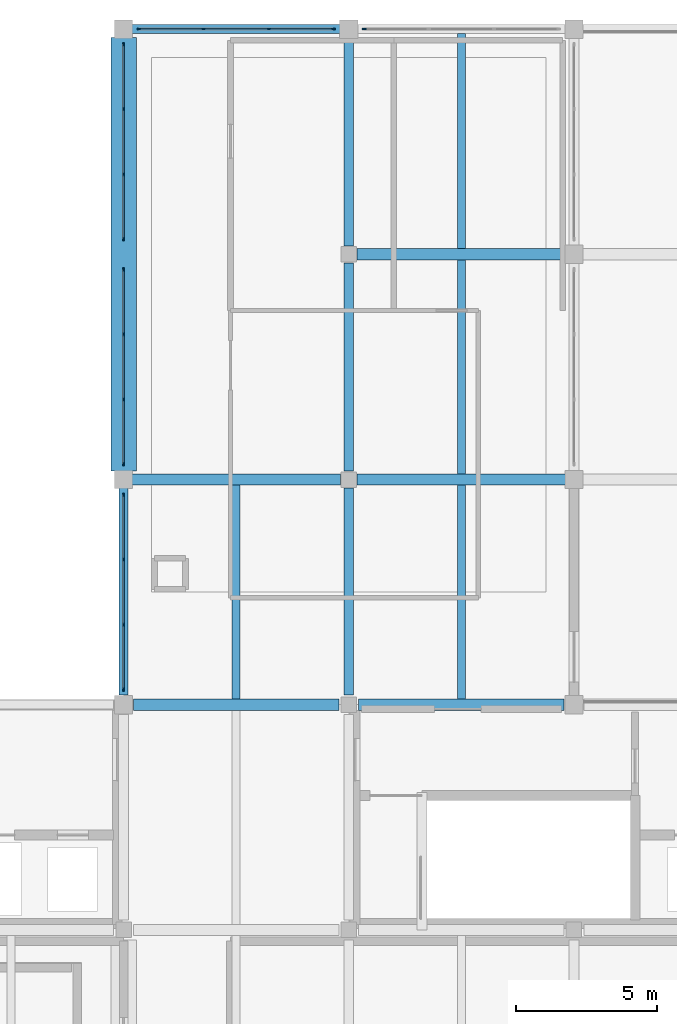
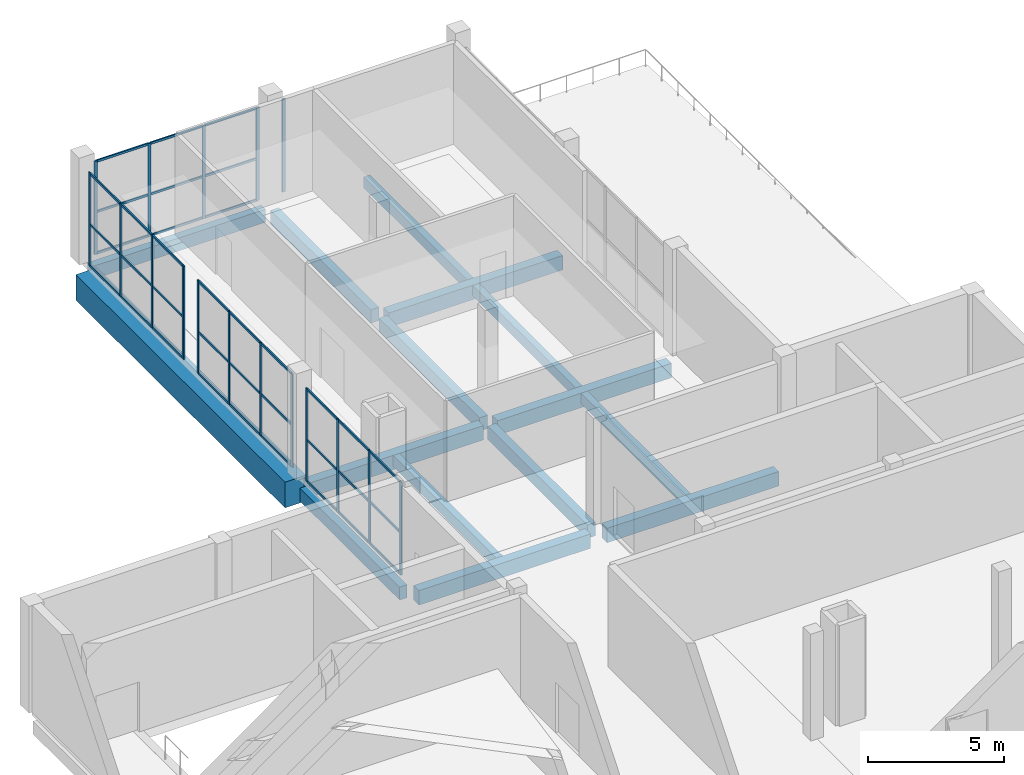
# One storey, part 2 of 8: 53 members, 15 beams, 5 elements without a shape of their own.
"""IFC4 building model written with IfcOpenShell, lengths in metres."""

import ifcopenshell
import ifcopenshell.guid

model = None  # the IFC model being written
_history = None  # IfcOwnerHistory: only IFC2X3 demands one
_inside = {}  # id of a spatial element -> (the spatial element, [elements in it])
_under = {}  # id of a project, library or spatial element -> (it, [spatial elements below it])
_declared = {}  # id of a project -> (the project, [libraries it declares])
_typed = {}  # id of a type object -> (the type object, [elements of that type])
_made_of = {}  # id of a material, layer set ... -> (it, [elements and type objects made of it])


def new_model(schema):
    """Start an empty IFC model of exactly this schema.

    Asked for "IFC4X3", IfcOpenShell would pick the latest addendum, in which some entities
    have other attributes; the version numbers below select the first issue.
    IFC2X3 requires an IfcOwnerHistory on every rooted entity: one is made here for all.
    """
    global model, _history
    if schema == "IFC4X3":
        model = ifcopenshell.file(schema_version=(4, 3, 0, 0))
    else:
        model = ifcopenshell.file(schema=schema)
    _inside.clear()
    _under.clear()
    _declared.clear()
    _typed.clear()
    _made_of.clear()
    _history = None
    if model.schema == "IFC2X3":
        org = make("IfcOrganization", Name="unknown")
        user = make(
            "IfcPersonAndOrganization",
            ThePerson=make("IfcPerson", FamilyName="unknown"),
            TheOrganization=org,
        )
        app = make(
            "IfcApplication",
            ApplicationDeveloper=org,
            Version="unknown",
            ApplicationFullName="unknown",
            ApplicationIdentifier="unknown",
        )
        _history = make(
            "IfcOwnerHistory",
            OwningUser=user,
            OwningApplication=app,
            ChangeAction="ADDED",
            CreationDate=0,
        )
    return model


def make(cls, **values):
    """One entity of the class cls with the attributes given. An attribute that is None is left unset."""
    return model.create_entity(
        cls, **{name: value for name, value in values.items() if value is not None}
    )


def rooted(cls, **values):
    """An entity with a GlobalId (a new one), such as an element, a storey or a relation."""
    return make(cls, GlobalId=ifcopenshell.guid.new(), OwnerHistory=_history, **values)


def si_unit(unit_type, name, prefix=None):
    """IfcSIUnit, for example si_unit("LENGTHUNIT", "METRE", prefix="MILLI")."""
    return make("IfcSIUnit", UnitType=unit_type, Prefix=prefix, Name=name)


def assignment(units):
    """IfcUnitAssignment: the units of a project."""
    return None if units is None else make("IfcUnitAssignment", Units=units)


def point(xyz):
    """IfcCartesianPoint."""
    return None if xyz is None else make("IfcCartesianPoint", Coordinates=xyz)


def direction(xyz):
    """IfcDirection."""
    return None if xyz is None else make("IfcDirection", DirectionRatios=xyz)


def frame(location, z_axis=None, x_axis=None):
    """IfcAxis2Placement3D, a coordinate frame: its origin and axes. An axis left out is left unset."""
    return make(
        "IfcAxis2Placement3D",
        Location=point(location),
        Axis=direction(z_axis),
        RefDirection=direction(x_axis),
    )


def frame_2d(location, x_axis=None):
    """IfcAxis2Placement2D, a coordinate frame in the plane: its origin and x axis."""
    return make(
        "IfcAxis2Placement2D", Location=point(location), RefDirection=direction(x_axis)
    )


def origin():
    """The frame at (0, 0, 0) with its axes left unset."""
    return frame((0.0, 0.0, 0.0))


def origin_2d():
    """The frame at (0, 0) in the plane with its x axis left unset."""
    return frame_2d((0.0, 0.0))


def place(relative_to, where):
    """IfcLocalPlacement: puts the frame where relative to a parent placement (None: the world)."""
    return make(
        "IfcLocalPlacement", PlacementRelTo=relative_to, RelativePlacement=where
    )


def context(
    kind, dimensions, precision=None, world=None, true_north=None, identifier=None
):
    """IfcGeometricRepresentationContext, for example the 3D "Model" context."""
    return make(
        "IfcGeometricRepresentationContext",
        ContextIdentifier=identifier,
        ContextType=kind,
        CoordinateSpaceDimension=dimensions,
        Precision=precision,
        WorldCoordinateSystem=world,
        TrueNorth=true_north,
    )


def subcontext(parent, identifier, kind, view, scale=None):
    """IfcGeometricRepresentationSubContext, for example "Body" below "Model"."""
    return make(
        "IfcGeometricRepresentationSubContext",
        ContextIdentifier=identifier,
        ContextType=kind,
        ParentContext=parent,
        TargetScale=scale,
        TargetView=view,
    )


def project(units=None, contexts=None):
    """IfcProject with its units and contexts."""
    return rooted(
        "IfcProject",
        Name="project",
        RepresentationContexts=contexts,
        UnitsInContext=assignment(units),
    )


def spatial(cls, under=None, at=None, **own):
    """A site, building, storey or space (cls), placed at a placement, below another one or the project."""
    s = rooted(cls, ObjectPlacement=at, **own)
    if under is not None:
        _under.setdefault(under.id(), (under, []))[1].append(s)
    return s


def profile(cls, at=None, kind="AREA", **sizes):
    """A parametric profile (cls). Its sizes go by their IFC names, for example OverallWidth=200.0."""
    return make(cls, ProfileType=kind, Position=at, **sizes)


def rectangle(**sizes):
    """IfcRectangleProfileDef."""
    return profile("IfcRectangleProfileDef", **sizes)


def extrude(swept, where, along, depth):
    """IfcExtrudedAreaSolid: the profile swept, set in the frame where, extruded along a direction by depth."""
    return make(
        "IfcExtrudedAreaSolid",
        SweptArea=swept,
        Position=where,
        ExtrudedDirection=direction(along),
        Depth=depth,
    )


def shape(context_of_items, identifier, shape_type, items):
    """IfcShapeRepresentation: the items that make up one representation, for example the "Body"."""
    return make(
        "IfcShapeRepresentation",
        ContextOfItems=context_of_items,
        RepresentationIdentifier=identifier,
        RepresentationType=shape_type,
        Items=items,
    )


def material(Name=None, Category=None):
    """IfcMaterial."""
    return make("IfcMaterial", Name=Name, Category=Category)


def layer(
    of_material, thickness, ventilated=None, Name=None, Category=None, Priority=None
):
    """IfcMaterialLayer: one layer of a wall or slab, of a material (None: an air gap)."""
    return make(
        "IfcMaterialLayer",
        Material=of_material,
        LayerThickness=thickness,
        IsVentilated=ventilated,
        Name=Name,
        Category=Category,
        Priority=Priority,
    )


def layer_set(layers, Name=None):
    """IfcMaterialLayerSet."""
    return make("IfcMaterialLayerSet", MaterialLayers=layers, LayerSetName=Name)


def material_profile(
    of_material, cross_section, Name=None, Category=None, Priority=None
):
    """IfcMaterialProfile: a cross section and its material."""
    return make(
        "IfcMaterialProfile",
        Name=Name,
        Material=of_material,
        Profile=cross_section,
        Priority=Priority,
        Category=Category,
    )


def profile_set(profiles, Name=None, composite=None):
    """IfcMaterialProfileSet."""
    return make(
        "IfcMaterialProfileSet",
        Name=Name,
        MaterialProfiles=profiles,
        CompositeProfile=composite,
    )


def made_of(thing, what):
    """Note that an element or type object is made of a material, layer set ...; save() writes the relation."""
    if what is not None:
        _made_of.setdefault(what.id(), (what, []))[1].append(thing)
    return thing


def type_object(cls, material=None, **own):
    """A type object (cls), such as IfcWallType, which elements share."""
    return made_of(rooted(cls, **own), material)


def element(
    cls,
    number,
    at=None,
    inside=None,
    cuts=None,
    type_object=None,
    material=None,
    context=None,
    identifier="Body",
    shape_type=None,
    held_by="IfcProductDefinitionShape",
    body=None,
    shapes=None,
    **own,
):
    """One element of the class cls, such as IfcWall. Its Tag is "e" and its number.

    at: its placement. inside: the storey or other place that contains it. cuts: it is an
    opening in that element (IfcRelVoidsElement). A single representation is given by context,
    identifier, shape_type and body (its items); several are given by shapes. held_by: the class
    of the entity that holds the representations. save() writes the other relations.
    """
    e = rooted(cls, Tag="e%d" % number, ObjectPlacement=at, **own)
    if body is not None:
        shapes = [shape(context, identifier, shape_type, body)]
    if shapes is not None:
        e.Representation = make(held_by, Representations=shapes)
    if inside is not None:
        _inside.setdefault(inside.id(), (inside, []))[1].append(e)
    if cuts is not None:
        rooted(
            "IfcRelVoidsElement", RelatingBuildingElement=cuts, RelatedOpeningElement=e
        )
    if type_object is not None:
        _typed.setdefault(type_object.id(), (type_object, []))[1].append(e)
    return made_of(e, material)


def aggregate(whole, parts):
    """IfcRelAggregates: a whole, such as a stair, and the parts it consists of."""
    return rooted("IfcRelAggregates", RelatingObject=whole, RelatedObjects=parts)


def save(model, path):
    """Write the relations noted so far, then the file.

    IfcRelAggregates (storeys below a building ...), IfcRelContainedInSpatialStructure (elements
    in a storey), IfcRelDefinesByType, IfcRelAssociatesMaterial and IfcRelDeclares: one each for
    every whole, place, type object, material and project.
    """
    for whole, parts in _under.values():
        aggregate(whole, parts)
    for where, things in _inside.values():
        rooted(
            "IfcRelContainedInSpatialStructure",
            RelatedElements=things,
            RelatingStructure=where,
        )
    for kind, things in _typed.values():
        rooted("IfcRelDefinesByType", RelatedObjects=things, RelatingType=kind)
    for what, things in _made_of.values():
        rooted("IfcRelAssociatesMaterial", RelatedObjects=things, RelatingMaterial=what)
    for by, libraries in _declared.values():
        rooted("IfcRelDeclares", RelatingContext=by, RelatedDefinitions=libraries)
    model.write(path)


model = new_model("IFC4")

# Units and contexts
model_context = context("Model", 3, precision=1e-05, world=origin(), true_north=direction((0.0, 1.0)))
body_context = subcontext(model_context, "Body", "Model", "MODEL_VIEW")
ifc_project = project(units=[si_unit("LENGTHUNIT", "METRE"), si_unit("AREAUNIT", "SQUARE_METRE"), si_unit("VOLUMEUNIT", "CUBIC_METRE"), si_unit("PLANEANGLEUNIT", "RADIAN"), si_unit("MASSUNIT", "GRAM", prefix="KILO")], contexts=[model_context])

# Site, building, storey
site_placement = place(None, origin())
site = spatial("IfcSite", under=ifc_project, at=site_placement, CompositionType="ELEMENT")
building_placement = place(site_placement, origin())
building = spatial("IfcBuilding", under=site, at=building_placement, Name="Qorikala Patio Media Centre", CompositionType="ELEMENT")
storey_placement = place(building_placement, frame((0.0, 0.0, 27.89990234375)))
storey = spatial("IfcBuildingStorey", under=building, at=storey_placement, Name="L06", CompositionType="ELEMENT", Elevation=27.89990234375)

# Beams
ifc_material_1 = material(Name="Concrete C35/45", Category="concrete")
ifc_material_profile_1 = material_profile(ifc_material_1, rectangle(XDim=0.35009765625, YDim=0.60009765625, at=origin_2d()), Name="RC 350x600")
ifc_profile_set_1 = profile_set([ifc_material_profile_1], Name="Concrete C35/45")
beam_type_1 = type_object("IfcBeamType", Name="BM-G350X600", PredefinedType="BEAM", material=ifc_profile_set_1)
beam_1_placement = place(storey_placement, frame((27.0, 35.35009765625, -0.699951171875), z_axis=(0.0, 1.0, 0.0), x_axis=(-1.0, 0.0, 0.0)))
element("IfcBeam", 1, at=beam_1_placement, inside=storey, type_object=beam_type_1, Name="L06 Grid X=27 Beam 1725", PredefinedType="BEAM", context=body_context, shape_type="SweptSolid", body=[
    extrude(rectangle(XDim=0.35009765625, YDim=0.60009765625, at=origin_2d()), origin(), (0.0, 0.0, 1.0), 7.349853515625),
])
for number, where, z_axis, x_axis, name in (
    (2, (27.0, 43.300048828125, -0.699951171875), (0.0, 1.0, 0.0), (-1.0, 0.0, 0.0), "L06 Grid X=27 Beam 1726"),
    (3, (27.0, 51.300048828125, -0.699951171875), (0.0, 1.0, 0.0), (-1.0, 0.0, 0.0), "L06 Grid X=27 Beam 1727"),
):
    element("IfcBeam", number, at=place(storey_placement, frame(where, z_axis=z_axis, x_axis=x_axis)), inside=storey, type_object=beam_type_1, Name=name, PredefinedType="BEAM", context=body_context, shape_type="SweptSolid", body=[
        extrude(rectangle(XDim=0.35009765625, YDim=0.60009765625, at=origin_2d()), origin(), (0.0, 0.0, 1.0), 7.39990234375),
    ])
ifc_material_profile_2 = material_profile(ifc_material_1, rectangle(XDim=0.39990234375, YDim=0.64990234375, at=origin_2d()), Name="RC 400x650")
ifc_profile_set_2 = profile_set([ifc_material_profile_2], Name="Concrete C35/45")
beam_type_2 = type_object("IfcBeamType", Name="BM-G400X650", PredefinedType="BEAM", material=ifc_profile_set_2)
for number, where, z_axis, x_axis, name in (
    (4, (19.35009765625, 35.0, -0.724853515625), (1.0, 0.0, 0.0), (0.0, 1.0, 0.0), "L06 Grid 35 Beam 1698"),
    (5, (27.35009765625, 35.0, -0.724853515625), (1.0, 0.0, 0.0), (0.0, 1.0, 0.0), "L06 Grid 35 Beam 1699"),
):
    element("IfcBeam", number, at=place(storey_placement, frame(where, z_axis=z_axis, x_axis=x_axis)), inside=storey, type_object=beam_type_2, Name=name, PredefinedType="BEAM", context=body_context, shape_type="SweptSolid", body=[
        extrude(rectangle(XDim=0.39990234375, YDim=0.64990234375, at=origin_2d()), origin(), (0.0, 0.0, 1.0), 7.2998046875),
    ])
for number, where, z_axis, x_axis, name in (
    (6, (19.300048828125, 43.0, -0.724853515625), (1.0, 0.0, 0.0), (0.0, 1.0, 0.0), "L06 Grid 43 Beam 1701"),
    (7, (27.300048828125, 43.0, -0.724853515625), (1.0, 0.0, 0.0), (0.0, 1.0, 0.0), "L06 Grid 43 Beam 1702"),
    (8, (27.300048828125, 51.0, -0.724853515625), (1.0, 0.0, 0.0), (0.0, 1.0, 0.0), "L06 Grid 51 Beam 1704"),
):
    element("IfcBeam", number, at=place(storey_placement, frame(where, z_axis=z_axis, x_axis=x_axis)), inside=storey, type_object=beam_type_2, Name=name, PredefinedType="BEAM", context=body_context, shape_type="SweptSolid", body=[
        extrude(rectangle(XDim=0.39990234375, YDim=0.64990234375, at=origin_2d()), origin(), (0.0, 0.0, 1.0), 7.39990234375),
    ])
ifc_material_profile_3 = material_profile(ifc_material_1, rectangle(XDim=0.89990234375, YDim=1.14990234375, at=origin_2d()), Name="RC 900x1150")
ifc_profile_set_3 = profile_set([ifc_material_profile_3], Name="Concrete C35/45")
beam_type_3 = type_object("IfcBeamType", Name="BM-TR900X1150-EXT", PredefinedType="BEAM", material=ifc_profile_set_3)
beam_2_placement = place(storey_placement, frame((19.0, 43.300048828125, -0.974853515625), z_axis=(0.0, 1.0, 0.0), x_axis=(-1.0, 0.0, 0.0)))
element("IfcBeam", 9, at=beam_2_placement, inside=storey, type_object=beam_type_3, Name="L06 Grid X=19 Transfer Girder 1720", PredefinedType="BEAM", context=body_context, shape_type="SweptSolid", body=[
    extrude(rectangle(XDim=0.89990234375, YDim=1.14990234375, at=origin_2d()), origin(), (0.0, 0.0, 1.0), 15.39990234375),
])

# Curtain wall, members
ifc_material_2 = material(Name="Bronze Anodised Aluminium and Low-E Glass", Category="aluminium")
ifc_layer = layer(ifc_material_2, 0.159912109375)
ifc_layer_set = layer_set([ifc_layer], Name="Bronze Anodised Aluminium and Low-E Glass")
curtain_wall_type = type_object("IfcCurtainWallType", Name="CW-PAV-696X419", PredefinedType="USERDEFINED", material=ifc_layer_set)
curtain_wall_1_placement = place(storey_placement, origin())
curtain_wall_1 = element("IfcCurtainWall", 10, at=curtain_wall_1_placement, inside=storey, type_object=curtain_wall_type, Name="L06 Courtyard Curtain Wall 100", ObjectType="COURTYARD CURTAIN WALL", PredefinedType="USERDEFINED")
ifc_material_3 = material(Name="Bronze Anodised Aluminium", Category="aluminium")
ifc_material_profile_4 = material_profile(ifc_material_3, rectangle(XDim=0.06005859375, YDim=0.1298828125, at=origin_2d()), Name="ALU MULLION 60x130")
ifc_profile_set_4 = profile_set([ifc_material_profile_4], Name="Bronze Anodised Aluminium")
member_type_1 = type_object("IfcMemberType", Name="CWM-60X130", PredefinedType="MULLION", material=ifc_profile_set_4)
member_1_placement = place(storey_placement, frame((19.0, 35.550048828125, 0.0), z_axis=(0.0, 0.0, 1.0), x_axis=(-1.0, 0.0, 0.0)))
member_1 = element("IfcMember", 11, at=member_1_placement, type_object=member_type_1, Name="CWP696419 mullion 1", PredefinedType="MULLION", context=body_context, shape_type="SweptSolid", body=[
    extrude(rectangle(XDim=0.06005859375, YDim=0.1298828125, at=origin_2d()), origin(), (0.0, 0.0, 1.0), 4.190185546875),
])
member_2_placement = place(storey_placement, frame((19.0, 37.840087890625, 0.0), z_axis=(0.0, 0.0, 1.0), x_axis=(-1.0, 0.0, 0.0)))
member_2 = element("IfcMember", 12, at=member_2_placement, type_object=member_type_1, Name="CWP696419 mullion 2", PredefinedType="MULLION", context=body_context, shape_type="SweptSolid", body=[
    extrude(rectangle(XDim=0.06005859375, YDim=0.1298828125, at=origin_2d()), origin(), (0.0, 0.0, 1.0), 4.190185546875),
])
member_3_placement = place(storey_placement, frame((19.0, 40.159912109375, 0.0), z_axis=(0.0, 0.0, 1.0), x_axis=(-1.0, 0.0, 0.0)))
member_3 = element("IfcMember", 13, at=member_3_placement, type_object=member_type_1, Name="CWP696419 mullion 3", PredefinedType="MULLION", context=body_context, shape_type="SweptSolid", body=[
    extrude(rectangle(XDim=0.06005859375, YDim=0.1298828125, at=origin_2d()), origin(), (0.0, 0.0, 1.0), 4.190185546875),
])
member_4_placement = place(storey_placement, frame((19.0, 42.449951171875, 0.0), z_axis=(0.0, 0.0, 1.0), x_axis=(-1.0, 0.0, 0.0)))
member_4 = element("IfcMember", 14, at=member_4_placement, type_object=member_type_1, Name="CWP696419 mullion 4", PredefinedType="MULLION", context=body_context, shape_type="SweptSolid", body=[
    extrude(rectangle(XDim=0.06005859375, YDim=0.1298828125, at=origin_2d()), origin(), (0.0, 0.0, 1.0), 4.190185546875),
])

curtain_wall_2_placement = place(storey_placement, origin())
curtain_wall_2 = element("IfcCurtainWall", 15, at=curtain_wall_2_placement, inside=storey, type_object=curtain_wall_type, Name="L06 Courtyard Curtain Wall 101", ObjectType="COURTYARD CURTAIN WALL", PredefinedType="USERDEFINED")
member_5_placement = place(storey_placement, frame((19.0, 43.550048828125, 0.0), z_axis=(0.0, 0.0, 1.0), x_axis=(-1.0, 0.0, 0.0)))
member_5 = element("IfcMember", 16, at=member_5_placement, type_object=member_type_1, Name="CWP696419 mullion 1", PredefinedType="MULLION", context=body_context, shape_type="SweptSolid", body=[
    extrude(rectangle(XDim=0.06005859375, YDim=0.1298828125, at=origin_2d()), origin(), (0.0, 0.0, 1.0), 4.190185546875),
])
member_6_placement = place(storey_placement, frame((19.0, 45.840087890625, 0.0), z_axis=(0.0, 0.0, 1.0), x_axis=(-1.0, 0.0, 0.0)))
member_6 = element("IfcMember", 17, at=member_6_placement, type_object=member_type_1, Name="CWP696419 mullion 2", PredefinedType="MULLION", context=body_context, shape_type="SweptSolid", body=[
    extrude(rectangle(XDim=0.06005859375, YDim=0.1298828125, at=origin_2d()), origin(), (0.0, 0.0, 1.0), 4.190185546875),
])
member_7_placement = place(storey_placement, frame((19.0, 48.159912109375, 0.0), z_axis=(0.0, 0.0, 1.0), x_axis=(-1.0, 0.0, 0.0)))
member_7 = element("IfcMember", 18, at=member_7_placement, type_object=member_type_1, Name="CWP696419 mullion 3", PredefinedType="MULLION", context=body_context, shape_type="SweptSolid", body=[
    extrude(rectangle(XDim=0.06005859375, YDim=0.1298828125, at=origin_2d()), origin(), (0.0, 0.0, 1.0), 4.190185546875),
])
member_8_placement = place(storey_placement, frame((19.0, 50.449951171875, 0.0), z_axis=(0.0, 0.0, 1.0), x_axis=(-1.0, 0.0, 0.0)))
member_8 = element("IfcMember", 19, at=member_8_placement, type_object=member_type_1, Name="CWP696419 mullion 4", PredefinedType="MULLION", context=body_context, shape_type="SweptSolid", body=[
    extrude(rectangle(XDim=0.06005859375, YDim=0.1298828125, at=origin_2d()), origin(), (0.0, 0.0, 1.0), 4.190185546875),
])

curtain_wall_3_placement = place(storey_placement, origin())
curtain_wall_3 = element("IfcCurtainWall", 20, at=curtain_wall_3_placement, inside=storey, type_object=curtain_wall_type, Name="L06 Courtyard Curtain Wall 102", ObjectType="COURTYARD CURTAIN WALL", PredefinedType="USERDEFINED")
member_9_placement = place(storey_placement, frame((19.0, 51.550048828125, 0.0), z_axis=(0.0, 0.0, 1.0), x_axis=(-1.0, 0.0, 0.0)))
member_9 = element("IfcMember", 21, at=member_9_placement, type_object=member_type_1, Name="CWP696419 mullion 1", PredefinedType="MULLION", context=body_context, shape_type="SweptSolid", body=[
    extrude(rectangle(XDim=0.06005859375, YDim=0.1298828125, at=origin_2d()), origin(), (0.0, 0.0, 1.0), 4.190185546875),
])
member_10_placement = place(storey_placement, frame((19.0, 53.840087890625, 0.0), z_axis=(0.0, 0.0, 1.0), x_axis=(-1.0, 0.0, 0.0)))
member_10 = element("IfcMember", 22, at=member_10_placement, type_object=member_type_1, Name="CWP696419 mullion 2", PredefinedType="MULLION", context=body_context, shape_type="SweptSolid", body=[
    extrude(rectangle(XDim=0.06005859375, YDim=0.1298828125, at=origin_2d()), origin(), (0.0, 0.0, 1.0), 4.190185546875),
])
member_11_placement = place(storey_placement, frame((19.0, 56.159912109375, 0.0), z_axis=(0.0, 0.0, 1.0), x_axis=(-1.0, 0.0, 0.0)))
member_11 = element("IfcMember", 23, at=member_11_placement, type_object=member_type_1, Name="CWP696419 mullion 3", PredefinedType="MULLION", context=body_context, shape_type="SweptSolid", body=[
    extrude(rectangle(XDim=0.06005859375, YDim=0.1298828125, at=origin_2d()), origin(), (0.0, 0.0, 1.0), 4.190185546875),
])
member_12_placement = place(storey_placement, frame((19.0, 58.449951171875, 0.0), z_axis=(0.0, 0.0, 1.0), x_axis=(-1.0, 0.0, 0.0)))
member_12 = element("IfcMember", 24, at=member_12_placement, type_object=member_type_1, Name="CWP696419 mullion 4", PredefinedType="MULLION", context=body_context, shape_type="SweptSolid", body=[
    extrude(rectangle(XDim=0.06005859375, YDim=0.1298828125, at=origin_2d()), origin(), (0.0, 0.0, 1.0), 4.190185546875),
])

curtain_wall_4_placement = place(storey_placement, origin())
curtain_wall_4 = element("IfcCurtainWall", 25, at=curtain_wall_4_placement, inside=storey, type_object=curtain_wall_type, Name="L06 Courtyard Curtain Wall 103", ObjectType="COURTYARD CURTAIN WALL", PredefinedType="USERDEFINED")
member_13_placement = place(storey_placement, frame((19.550048828125, 59.0, 0.0), z_axis=(0.0, 0.0, 1.0), x_axis=(0.0, 1.0, 0.0)))
member_13 = element("IfcMember", 26, at=member_13_placement, type_object=member_type_1, Name="CWP696419 mullion 1", PredefinedType="MULLION", context=body_context, shape_type="SweptSolid", body=[
    extrude(rectangle(XDim=0.06005859375, YDim=0.1298828125, at=origin_2d()), origin(), (0.0, 0.0, 1.0), 4.190185546875),
])
member_14_placement = place(storey_placement, frame((21.840087890625, 59.0, 0.0), z_axis=(0.0, 0.0, 1.0), x_axis=(0.0, 1.0, 0.0)))
member_14 = element("IfcMember", 27, at=member_14_placement, type_object=member_type_1, Name="CWP696419 mullion 2", PredefinedType="MULLION", context=body_context, shape_type="SweptSolid", body=[
    extrude(rectangle(XDim=0.06005859375, YDim=0.1298828125, at=origin_2d()), origin(), (0.0, 0.0, 1.0), 4.190185546875),
])
member_15_placement = place(storey_placement, frame((24.159912109375, 59.0, 0.0), z_axis=(0.0, 0.0, 1.0), x_axis=(0.0, 1.0, 0.0)))
member_15 = element("IfcMember", 28, at=member_15_placement, type_object=member_type_1, Name="CWP696419 mullion 3", PredefinedType="MULLION", context=body_context, shape_type="SweptSolid", body=[
    extrude(rectangle(XDim=0.06005859375, YDim=0.1298828125, at=origin_2d()), origin(), (0.0, 0.0, 1.0), 4.190185546875),
])
member_16_placement = place(storey_placement, frame((26.449951171875, 59.0, 0.0), z_axis=(0.0, 0.0, 1.0), x_axis=(0.0, 1.0, 0.0)))
member_16 = element("IfcMember", 29, at=member_16_placement, type_object=member_type_1, Name="CWP696419 mullion 4", PredefinedType="MULLION", context=body_context, shape_type="SweptSolid", body=[
    extrude(rectangle(XDim=0.06005859375, YDim=0.1298828125, at=origin_2d()), origin(), (0.0, 0.0, 1.0), 4.190185546875),
])

# Curtain wall, member
curtain_wall_5_placement = place(storey_placement, origin())
curtain_wall_5 = element("IfcCurtainWall", 30, at=curtain_wall_5_placement, inside=storey, type_object=curtain_wall_type, Name="L06 Courtyard Curtain Wall 104", ObjectType="COURTYARD CURTAIN WALL", PredefinedType="USERDEFINED")
member_17_placement = place(storey_placement, frame((27.550048828125, 59.0, 0.0), z_axis=(0.0, 0.0, 1.0), x_axis=(0.0, 1.0, 0.0)))
member_17 = element("IfcMember", 31, at=member_17_placement, type_object=member_type_1, Name="CWP696419 mullion 1", PredefinedType="MULLION", context=body_context, shape_type="SweptSolid", body=[
    extrude(rectangle(XDim=0.06005859375, YDim=0.1298828125, at=origin_2d()), origin(), (0.0, 0.0, 1.0), 4.190185546875),
])
aggregate(curtain_wall_5, [member_17])

# Member
ifc_material_profile_5 = material_profile(ifc_material_3, rectangle(XDim=0.06005859375, YDim=0.10009765625, at=origin_2d()), Name="ALU TRANSOM 60x100")
ifc_profile_set_5 = profile_set([ifc_material_profile_5], Name="Bronze Anodised Aluminium")
member_type_2 = type_object("IfcMemberType", Name="CWT-60X100", PredefinedType="USERDEFINED", material=ifc_profile_set_5)
member_18_placement = place(storey_placement, frame((19.0, 35.580078125, 0.030029296875), z_axis=(0.0, 1.0, 0.0), x_axis=(-1.0, 0.0, 0.0)))
member_18 = element("IfcMember", 32, at=member_18_placement, type_object=member_type_2, Name="CWP696419 transom 1.1", ObjectType="TRANSOM", PredefinedType="USERDEFINED", context=body_context, shape_type="SweptSolid", body=[
    extrude(rectangle(XDim=0.06005859375, YDim=0.10009765625, at=origin_2d()), origin(), (0.0, 0.0, 1.0), 2.22998046875),
])

member_19_placement = place(storey_placement, frame((19.0, 35.580078125, 1.885498046875), z_axis=(0.0, 1.0, 0.0), x_axis=(-1.0, 0.0, 0.0)))
member_19 = element("IfcMember", 33, at=member_19_placement, type_object=member_type_2, Name="CWP696419 transom 1.2", ObjectType="TRANSOM", PredefinedType="USERDEFINED", context=body_context, shape_type="SweptSolid", body=[
    extrude(rectangle(XDim=0.06005859375, YDim=0.10009765625, at=origin_2d()), origin(), (0.0, 0.0, 1.0), 2.22998046875),
])

member_20_placement = place(storey_placement, frame((19.0, 35.580078125, 4.16015625), z_axis=(0.0, 1.0, 0.0), x_axis=(-1.0, 0.0, 0.0)))
member_20 = element("IfcMember", 34, at=member_20_placement, type_object=member_type_2, Name="CWP696419 transom 1.3", ObjectType="TRANSOM", PredefinedType="USERDEFINED", context=body_context, shape_type="SweptSolid", body=[
    extrude(rectangle(XDim=0.06005859375, YDim=0.10009765625, at=origin_2d()), origin(), (0.0, 0.0, 1.0), 2.22998046875),
])

member_21_placement = place(storey_placement, frame((19.0, 37.8701171875, 0.030029296875), z_axis=(0.0, 1.0, 0.0), x_axis=(-1.0, 0.0, 0.0)))
member_21 = element("IfcMember", 35, at=member_21_placement, type_object=member_type_2, Name="CWP696419 transom 2.1", ObjectType="TRANSOM", PredefinedType="USERDEFINED", context=body_context, shape_type="SweptSolid", body=[
    extrude(rectangle(XDim=0.06005859375, YDim=0.10009765625, at=origin_2d()), origin(), (0.0, 0.0, 1.0), 2.259765625),
])

member_22_placement = place(storey_placement, frame((19.0, 37.8701171875, 1.885498046875), z_axis=(0.0, 1.0, 0.0), x_axis=(-1.0, 0.0, 0.0)))
member_22 = element("IfcMember", 36, at=member_22_placement, type_object=member_type_2, Name="CWP696419 transom 2.2", ObjectType="TRANSOM", PredefinedType="USERDEFINED", context=body_context, shape_type="SweptSolid", body=[
    extrude(rectangle(XDim=0.06005859375, YDim=0.10009765625, at=origin_2d()), origin(), (0.0, 0.0, 1.0), 2.259765625),
])

member_23_placement = place(storey_placement, frame((19.0, 37.8701171875, 4.16015625), z_axis=(0.0, 1.0, 0.0), x_axis=(-1.0, 0.0, 0.0)))
member_23 = element("IfcMember", 37, at=member_23_placement, type_object=member_type_2, Name="CWP696419 transom 2.3", ObjectType="TRANSOM", PredefinedType="USERDEFINED", context=body_context, shape_type="SweptSolid", body=[
    extrude(rectangle(XDim=0.06005859375, YDim=0.10009765625, at=origin_2d()), origin(), (0.0, 0.0, 1.0), 2.259765625),
])

member_24_placement = place(storey_placement, frame((19.0, 40.18994140625, 0.030029296875), z_axis=(0.0, 1.0, 0.0), x_axis=(-1.0, 0.0, 0.0)))
member_24 = element("IfcMember", 38, at=member_24_placement, type_object=member_type_2, Name="CWP696419 transom 3.1", ObjectType="TRANSOM", PredefinedType="USERDEFINED", context=body_context, shape_type="SweptSolid", body=[
    extrude(rectangle(XDim=0.06005859375, YDim=0.10009765625, at=origin_2d()), origin(), (0.0, 0.0, 1.0), 2.22998046875),
])

member_25_placement = place(storey_placement, frame((19.0, 40.18994140625, 1.885498046875), z_axis=(0.0, 1.0, 0.0), x_axis=(-1.0, 0.0, 0.0)))
member_25 = element("IfcMember", 39, at=member_25_placement, type_object=member_type_2, Name="CWP696419 transom 3.2", ObjectType="TRANSOM", PredefinedType="USERDEFINED", context=body_context, shape_type="SweptSolid", body=[
    extrude(rectangle(XDim=0.06005859375, YDim=0.10009765625, at=origin_2d()), origin(), (0.0, 0.0, 1.0), 2.22998046875),
])

member_26_placement = place(storey_placement, frame((19.0, 40.18994140625, 4.16015625), z_axis=(0.0, 1.0, 0.0), x_axis=(-1.0, 0.0, 0.0)))
member_26 = element("IfcMember", 40, at=member_26_placement, type_object=member_type_2, Name="CWP696419 transom 3.3", ObjectType="TRANSOM", PredefinedType="USERDEFINED", context=body_context, shape_type="SweptSolid", body=[
    extrude(rectangle(XDim=0.06005859375, YDim=0.10009765625, at=origin_2d()), origin(), (0.0, 0.0, 1.0), 2.22998046875),
])

aggregate(curtain_wall_1, [member_1, member_2, member_3, member_4, member_18, member_19, member_20, member_21, member_22, member_23, member_24, member_25, member_26])

member_27_placement = place(storey_placement, frame((19.0, 43.580078125, 0.030029296875), z_axis=(0.0, 1.0, 0.0), x_axis=(-1.0, 0.0, 0.0)))
member_27 = element("IfcMember", 41, at=member_27_placement, type_object=member_type_2, Name="CWP696419 transom 1.1", ObjectType="TRANSOM", PredefinedType="USERDEFINED", context=body_context, shape_type="SweptSolid", body=[
    extrude(rectangle(XDim=0.06005859375, YDim=0.10009765625, at=origin_2d()), origin(), (0.0, 0.0, 1.0), 2.22998046875),
])

member_28_placement = place(storey_placement, frame((19.0, 43.580078125, 1.885498046875), z_axis=(0.0, 1.0, 0.0), x_axis=(-1.0, 0.0, 0.0)))
member_28 = element("IfcMember", 42, at=member_28_placement, type_object=member_type_2, Name="CWP696419 transom 1.2", ObjectType="TRANSOM", PredefinedType="USERDEFINED", context=body_context, shape_type="SweptSolid", body=[
    extrude(rectangle(XDim=0.06005859375, YDim=0.10009765625, at=origin_2d()), origin(), (0.0, 0.0, 1.0), 2.22998046875),
])

member_29_placement = place(storey_placement, frame((19.0, 43.580078125, 4.16015625), z_axis=(0.0, 1.0, 0.0), x_axis=(-1.0, 0.0, 0.0)))
member_29 = element("IfcMember", 43, at=member_29_placement, type_object=member_type_2, Name="CWP696419 transom 1.3", ObjectType="TRANSOM", PredefinedType="USERDEFINED", context=body_context, shape_type="SweptSolid", body=[
    extrude(rectangle(XDim=0.06005859375, YDim=0.10009765625, at=origin_2d()), origin(), (0.0, 0.0, 1.0), 2.22998046875),
])

member_30_placement = place(storey_placement, frame((19.0, 45.8701171875, 0.030029296875), z_axis=(0.0, 1.0, 0.0), x_axis=(-1.0, 0.0, 0.0)))
member_30 = element("IfcMember", 44, at=member_30_placement, type_object=member_type_2, Name="CWP696419 transom 2.1", ObjectType="TRANSOM", PredefinedType="USERDEFINED", context=body_context, shape_type="SweptSolid", body=[
    extrude(rectangle(XDim=0.06005859375, YDim=0.10009765625, at=origin_2d()), origin(), (0.0, 0.0, 1.0), 2.259765625),
])

member_31_placement = place(storey_placement, frame((19.0, 45.8701171875, 1.885498046875), z_axis=(0.0, 1.0, 0.0), x_axis=(-1.0, 0.0, 0.0)))
member_31 = element("IfcMember", 45, at=member_31_placement, type_object=member_type_2, Name="CWP696419 transom 2.2", ObjectType="TRANSOM", PredefinedType="USERDEFINED", context=body_context, shape_type="SweptSolid", body=[
    extrude(rectangle(XDim=0.06005859375, YDim=0.10009765625, at=origin_2d()), origin(), (0.0, 0.0, 1.0), 2.259765625),
])

member_32_placement = place(storey_placement, frame((19.0, 45.8701171875, 4.16015625), z_axis=(0.0, 1.0, 0.0), x_axis=(-1.0, 0.0, 0.0)))
member_32 = element("IfcMember", 46, at=member_32_placement, type_object=member_type_2, Name="CWP696419 transom 2.3", ObjectType="TRANSOM", PredefinedType="USERDEFINED", context=body_context, shape_type="SweptSolid", body=[
    extrude(rectangle(XDim=0.06005859375, YDim=0.10009765625, at=origin_2d()), origin(), (0.0, 0.0, 1.0), 2.259765625),
])

member_33_placement = place(storey_placement, frame((19.0, 48.18994140625, 0.030029296875), z_axis=(0.0, 1.0, 0.0), x_axis=(-1.0, 0.0, 0.0)))
member_33 = element("IfcMember", 47, at=member_33_placement, type_object=member_type_2, Name="CWP696419 transom 3.1", ObjectType="TRANSOM", PredefinedType="USERDEFINED", context=body_context, shape_type="SweptSolid", body=[
    extrude(rectangle(XDim=0.06005859375, YDim=0.10009765625, at=origin_2d()), origin(), (0.0, 0.0, 1.0), 2.22998046875),
])

member_34_placement = place(storey_placement, frame((19.0, 48.18994140625, 1.885498046875), z_axis=(0.0, 1.0, 0.0), x_axis=(-1.0, 0.0, 0.0)))
member_34 = element("IfcMember", 48, at=member_34_placement, type_object=member_type_2, Name="CWP696419 transom 3.2", ObjectType="TRANSOM", PredefinedType="USERDEFINED", context=body_context, shape_type="SweptSolid", body=[
    extrude(rectangle(XDim=0.06005859375, YDim=0.10009765625, at=origin_2d()), origin(), (0.0, 0.0, 1.0), 2.22998046875),
])

member_35_placement = place(storey_placement, frame((19.0, 48.18994140625, 4.16015625), z_axis=(0.0, 1.0, 0.0), x_axis=(-1.0, 0.0, 0.0)))
member_35 = element("IfcMember", 49, at=member_35_placement, type_object=member_type_2, Name="CWP696419 transom 3.3", ObjectType="TRANSOM", PredefinedType="USERDEFINED", context=body_context, shape_type="SweptSolid", body=[
    extrude(rectangle(XDim=0.06005859375, YDim=0.10009765625, at=origin_2d()), origin(), (0.0, 0.0, 1.0), 2.22998046875),
])

aggregate(curtain_wall_2, [member_5, member_6, member_7, member_8, member_27, member_28, member_29, member_30, member_31, member_32, member_33, member_34, member_35])

member_36_placement = place(storey_placement, frame((19.0, 51.580078125, 0.030029296875), z_axis=(0.0, 1.0, 0.0), x_axis=(-1.0, 0.0, 0.0)))
member_36 = element("IfcMember", 50, at=member_36_placement, type_object=member_type_2, Name="CWP696419 transom 1.1", ObjectType="TRANSOM", PredefinedType="USERDEFINED", context=body_context, shape_type="SweptSolid", body=[
    extrude(rectangle(XDim=0.06005859375, YDim=0.10009765625, at=origin_2d()), origin(), (0.0, 0.0, 1.0), 2.22998046875),
])

member_37_placement = place(storey_placement, frame((19.0, 51.580078125, 1.885498046875), z_axis=(0.0, 1.0, 0.0), x_axis=(-1.0, 0.0, 0.0)))
member_37 = element("IfcMember", 51, at=member_37_placement, type_object=member_type_2, Name="CWP696419 transom 1.2", ObjectType="TRANSOM", PredefinedType="USERDEFINED", context=body_context, shape_type="SweptSolid", body=[
    extrude(rectangle(XDim=0.06005859375, YDim=0.10009765625, at=origin_2d()), origin(), (0.0, 0.0, 1.0), 2.22998046875),
])

member_38_placement = place(storey_placement, frame((19.0, 51.580078125, 4.16015625), z_axis=(0.0, 1.0, 0.0), x_axis=(-1.0, 0.0, 0.0)))
member_38 = element("IfcMember", 52, at=member_38_placement, type_object=member_type_2, Name="CWP696419 transom 1.3", ObjectType="TRANSOM", PredefinedType="USERDEFINED", context=body_context, shape_type="SweptSolid", body=[
    extrude(rectangle(XDim=0.06005859375, YDim=0.10009765625, at=origin_2d()), origin(), (0.0, 0.0, 1.0), 2.22998046875),
])

member_39_placement = place(storey_placement, frame((19.0, 53.8701171875, 0.030029296875), z_axis=(0.0, 1.0, 0.0), x_axis=(-1.0, 0.0, 0.0)))
member_39 = element("IfcMember", 53, at=member_39_placement, type_object=member_type_2, Name="CWP696419 transom 2.1", ObjectType="TRANSOM", PredefinedType="USERDEFINED", context=body_context, shape_type="SweptSolid", body=[
    extrude(rectangle(XDim=0.06005859375, YDim=0.10009765625, at=origin_2d()), origin(), (0.0, 0.0, 1.0), 2.259765625),
])

member_40_placement = place(storey_placement, frame((19.0, 53.8701171875, 1.885498046875), z_axis=(0.0, 1.0, 0.0), x_axis=(-1.0, 0.0, 0.0)))
member_40 = element("IfcMember", 54, at=member_40_placement, type_object=member_type_2, Name="CWP696419 transom 2.2", ObjectType="TRANSOM", PredefinedType="USERDEFINED", context=body_context, shape_type="SweptSolid", body=[
    extrude(rectangle(XDim=0.06005859375, YDim=0.10009765625, at=origin_2d()), origin(), (0.0, 0.0, 1.0), 2.259765625),
])

member_41_placement = place(storey_placement, frame((19.0, 53.8701171875, 4.16015625), z_axis=(0.0, 1.0, 0.0), x_axis=(-1.0, 0.0, 0.0)))
member_41 = element("IfcMember", 55, at=member_41_placement, type_object=member_type_2, Name="CWP696419 transom 2.3", ObjectType="TRANSOM", PredefinedType="USERDEFINED", context=body_context, shape_type="SweptSolid", body=[
    extrude(rectangle(XDim=0.06005859375, YDim=0.10009765625, at=origin_2d()), origin(), (0.0, 0.0, 1.0), 2.259765625),
])

member_42_placement = place(storey_placement, frame((19.0, 56.18994140625, 0.030029296875), z_axis=(0.0, 1.0, 0.0), x_axis=(-1.0, 0.0, 0.0)))
member_42 = element("IfcMember", 56, at=member_42_placement, type_object=member_type_2, Name="CWP696419 transom 3.1", ObjectType="TRANSOM", PredefinedType="USERDEFINED", context=body_context, shape_type="SweptSolid", body=[
    extrude(rectangle(XDim=0.06005859375, YDim=0.10009765625, at=origin_2d()), origin(), (0.0, 0.0, 1.0), 2.22998046875),
])

member_43_placement = place(storey_placement, frame((19.0, 56.18994140625, 1.885498046875), z_axis=(0.0, 1.0, 0.0), x_axis=(-1.0, 0.0, 0.0)))
member_43 = element("IfcMember", 57, at=member_43_placement, type_object=member_type_2, Name="CWP696419 transom 3.2", ObjectType="TRANSOM", PredefinedType="USERDEFINED", context=body_context, shape_type="SweptSolid", body=[
    extrude(rectangle(XDim=0.06005859375, YDim=0.10009765625, at=origin_2d()), origin(), (0.0, 0.0, 1.0), 2.22998046875),
])

member_44_placement = place(storey_placement, frame((19.0, 56.18994140625, 4.16015625), z_axis=(0.0, 1.0, 0.0), x_axis=(-1.0, 0.0, 0.0)))
member_44 = element("IfcMember", 58, at=member_44_placement, type_object=member_type_2, Name="CWP696419 transom 3.3", ObjectType="TRANSOM", PredefinedType="USERDEFINED", context=body_context, shape_type="SweptSolid", body=[
    extrude(rectangle(XDim=0.06005859375, YDim=0.10009765625, at=origin_2d()), origin(), (0.0, 0.0, 1.0), 2.22998046875),
])

aggregate(curtain_wall_3, [member_9, member_10, member_11, member_12, member_36, member_37, member_38, member_39, member_40, member_41, member_42, member_43, member_44])

member_45_placement = place(storey_placement, frame((19.580078125, 59.0, 0.030029296875), z_axis=(1.0, 0.0, 0.0), x_axis=(0.0, 1.0, 0.0)))
member_45 = element("IfcMember", 59, at=member_45_placement, type_object=member_type_2, Name="CWP696419 transom 1.1", ObjectType="TRANSOM", PredefinedType="USERDEFINED", context=body_context, shape_type="SweptSolid", body=[
    extrude(rectangle(XDim=0.06005859375, YDim=0.10009765625, at=origin_2d()), origin(), (0.0, 0.0, 1.0), 2.22998046875),
])

member_46_placement = place(storey_placement, frame((19.580078125, 59.0, 1.885498046875), z_axis=(1.0, 0.0, 0.0), x_axis=(0.0, 1.0, 0.0)))
member_46 = element("IfcMember", 60, at=member_46_placement, type_object=member_type_2, Name="CWP696419 transom 1.2", ObjectType="TRANSOM", PredefinedType="USERDEFINED", context=body_context, shape_type="SweptSolid", body=[
    extrude(rectangle(XDim=0.06005859375, YDim=0.10009765625, at=origin_2d()), origin(), (0.0, 0.0, 1.0), 2.22998046875),
])

member_47_placement = place(storey_placement, frame((19.580078125, 59.0, 4.16015625), z_axis=(1.0, 0.0, 0.0), x_axis=(0.0, 1.0, 0.0)))
member_47 = element("IfcMember", 61, at=member_47_placement, type_object=member_type_2, Name="CWP696419 transom 1.3", ObjectType="TRANSOM", PredefinedType="USERDEFINED", context=body_context, shape_type="SweptSolid", body=[
    extrude(rectangle(XDim=0.06005859375, YDim=0.10009765625, at=origin_2d()), origin(), (0.0, 0.0, 1.0), 2.22998046875),
])

member_48_placement = place(storey_placement, frame((21.8701171875, 59.0, 0.030029296875), z_axis=(1.0, 0.0, 0.0), x_axis=(0.0, 1.0, 0.0)))
member_48 = element("IfcMember", 62, at=member_48_placement, type_object=member_type_2, Name="CWP696419 transom 2.1", ObjectType="TRANSOM", PredefinedType="USERDEFINED", context=body_context, shape_type="SweptSolid", body=[
    extrude(rectangle(XDim=0.06005859375, YDim=0.10009765625, at=origin_2d()), origin(), (0.0, 0.0, 1.0), 2.259765625),
])

member_49_placement = place(storey_placement, frame((21.8701171875, 59.0, 1.885498046875), z_axis=(1.0, 0.0, 0.0), x_axis=(0.0, 1.0, 0.0)))
member_49 = element("IfcMember", 63, at=member_49_placement, type_object=member_type_2, Name="CWP696419 transom 2.2", ObjectType="TRANSOM", PredefinedType="USERDEFINED", context=body_context, shape_type="SweptSolid", body=[
    extrude(rectangle(XDim=0.06005859375, YDim=0.10009765625, at=origin_2d()), origin(), (0.0, 0.0, 1.0), 2.259765625),
])

member_50_placement = place(storey_placement, frame((21.8701171875, 59.0, 4.16015625), z_axis=(1.0, 0.0, 0.0), x_axis=(0.0, 1.0, 0.0)))
member_50 = element("IfcMember", 64, at=member_50_placement, type_object=member_type_2, Name="CWP696419 transom 2.3", ObjectType="TRANSOM", PredefinedType="USERDEFINED", context=body_context, shape_type="SweptSolid", body=[
    extrude(rectangle(XDim=0.06005859375, YDim=0.10009765625, at=origin_2d()), origin(), (0.0, 0.0, 1.0), 2.259765625),
])

member_51_placement = place(storey_placement, frame((24.18994140625, 59.0, 0.030029296875), z_axis=(1.0, 0.0, 0.0), x_axis=(0.0, 1.0, 0.0)))
member_51 = element("IfcMember", 65, at=member_51_placement, type_object=member_type_2, Name="CWP696419 transom 3.1", ObjectType="TRANSOM", PredefinedType="USERDEFINED", context=body_context, shape_type="SweptSolid", body=[
    extrude(rectangle(XDim=0.06005859375, YDim=0.10009765625, at=origin_2d()), origin(), (0.0, 0.0, 1.0), 2.22998046875),
])

member_52_placement = place(storey_placement, frame((24.18994140625, 59.0, 1.885498046875), z_axis=(1.0, 0.0, 0.0), x_axis=(0.0, 1.0, 0.0)))
member_52 = element("IfcMember", 66, at=member_52_placement, type_object=member_type_2, Name="CWP696419 transom 3.2", ObjectType="TRANSOM", PredefinedType="USERDEFINED", context=body_context, shape_type="SweptSolid", body=[
    extrude(rectangle(XDim=0.06005859375, YDim=0.10009765625, at=origin_2d()), origin(), (0.0, 0.0, 1.0), 2.22998046875),
])

member_53_placement = place(storey_placement, frame((24.18994140625, 59.0, 4.16015625), z_axis=(1.0, 0.0, 0.0), x_axis=(0.0, 1.0, 0.0)))
member_53 = element("IfcMember", 67, at=member_53_placement, type_object=member_type_2, Name="CWP696419 transom 3.3", ObjectType="TRANSOM", PredefinedType="USERDEFINED", context=body_context, shape_type="SweptSolid", body=[
    extrude(rectangle(XDim=0.06005859375, YDim=0.10009765625, at=origin_2d()), origin(), (0.0, 0.0, 1.0), 2.22998046875),
])

aggregate(curtain_wall_4, [member_13, member_14, member_15, member_16, member_45, member_46, member_47, member_48, member_49, member_50, member_51, member_52, member_53])

# Beams
ifc_material_profile_6 = material_profile(ifc_material_1, rectangle(XDim=0.280029296875, YDim=0.47998046875, at=origin_2d()), Name="RC 280x480")
ifc_profile_set_6 = profile_set([ifc_material_profile_6], Name="Concrete C35/45")
beam_type_4 = type_object("IfcBeamType", Name="JS-280X480", PredefinedType="JOIST", material=ifc_profile_set_6)
for number, where, z_axis, x_axis, name in (
    (68, (23.0, 35.199951171875, -0.639892578125), (0.0, 1.0, 0.0), (-1.0, 0.0, 0.0), "L06 Secondary Joist 1750"),
    (69, (31.0, 35.199951171875, -0.639892578125), (0.0, 1.0, 0.0), (-1.0, 0.0, 0.0), "L06 Secondary Joist 1753"),
    (70, (31.0, 43.199951171875, -0.639892578125), (0.0, 1.0, 0.0), (-1.0, 0.0, 0.0), "L06 Secondary Joist 1754"),
):
    element("IfcBeam", number, at=place(storey_placement, frame(where, z_axis=z_axis, x_axis=x_axis)), inside=storey, type_object=beam_type_4, Name=name, PredefinedType="JOIST", context=body_context, shape_type="SweptSolid", body=[
        extrude(rectangle(XDim=0.280029296875, YDim=0.47998046875, at=origin_2d()), origin(), (0.0, 0.0, 1.0), 7.60009765625),
    ])
beam_3_placement = place(storey_placement, frame((31.0, 51.199951171875, -0.639892578125), z_axis=(0.0, 1.0, 0.0), x_axis=(-1.0, 0.0, 0.0)))
element("IfcBeam", 71, at=beam_3_placement, inside=storey, type_object=beam_type_4, Name="L06 Secondary Joist 1755", PredefinedType="JOIST", context=body_context, shape_type="SweptSolid", body=[
    extrude(rectangle(XDim=0.280029296875, YDim=0.47998046875, at=origin_2d()), origin(), (0.0, 0.0, 1.0), 7.64013671875),
])
ifc_material_profile_7 = material_profile(ifc_material_1, rectangle(XDim=0.320068359375, YDim=0.580078125, at=origin_2d()), Name="RC 320x580")
ifc_profile_set_7 = profile_set([ifc_material_profile_7], Name="Concrete C35/45")
beam_type_5 = type_object("IfcBeamType", Name="SP-320X580", PredefinedType="SPANDREL", material=ifc_profile_set_7)
beam_4_placement = place(storey_placement, frame((19.300048828125, 59.0, -0.68994140625), z_axis=(1.0, 0.0, 0.0), x_axis=(0.0, 1.0, 0.0)))
element("IfcBeam", 72, at=beam_4_placement, inside=storey, type_object=beam_type_5, Name="L06 Grid 59 Beam 1706", PredefinedType="SPANDREL", context=body_context, shape_type="SweptSolid", body=[
    extrude(rectangle(XDim=0.320068359375, YDim=0.580078125, at=origin_2d()), origin(), (0.0, 0.0, 1.0), 7.39990234375),
])
beam_5_placement = place(storey_placement, frame((19.0, 35.35009765625, -0.68994140625), z_axis=(0.0, 1.0, 0.0), x_axis=(-1.0, 0.0, 0.0)))
element("IfcBeam", 73, at=beam_5_placement, inside=storey, type_object=beam_type_5, Name="L06 Grid X=19 Beam 1719", PredefinedType="SPANDREL", context=body_context, shape_type="SweptSolid", body=[
    extrude(rectangle(XDim=0.320068359375, YDim=0.580078125, at=origin_2d()), origin(), (0.0, 0.0, 1.0), 7.349853515625),
])

save(model, "model.ifc")
